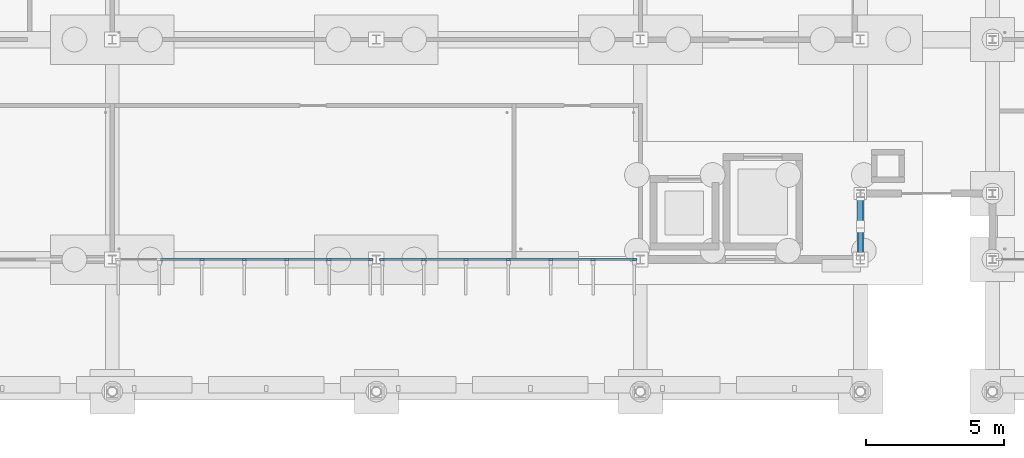
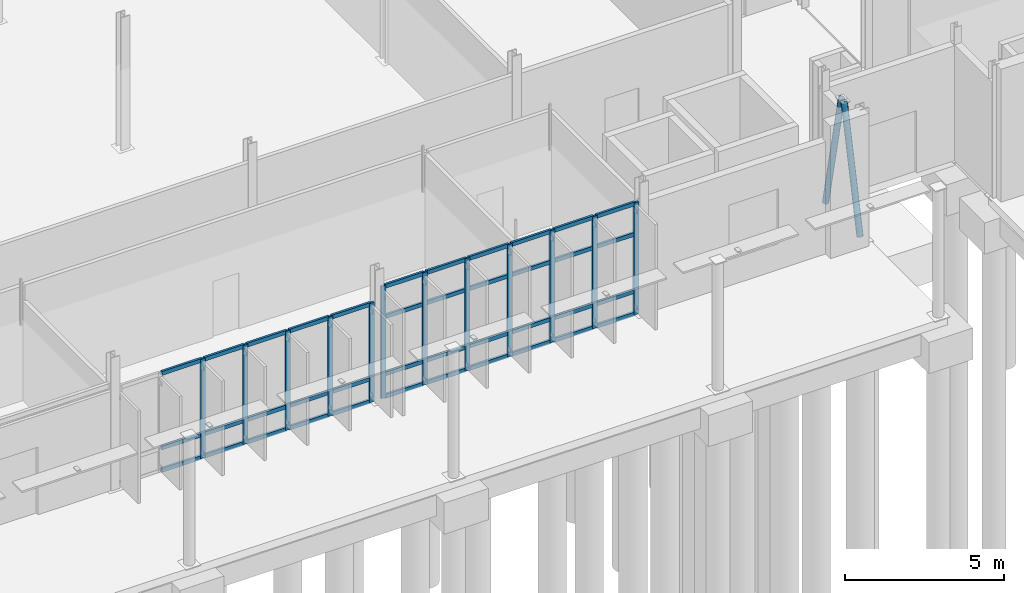
# One storey, part 28 of 111: 53 members, 2 elements without a shape of their own.
"""IFC4 building model written with IfcOpenShell, lengths in metres."""

import ifcopenshell
import ifcopenshell.guid

model = None  # the IFC model being written
_history = None  # IfcOwnerHistory: only IFC2X3 demands one
_inside = {}  # id of a spatial element -> (the spatial element, [elements in it])
_under = {}  # id of a project, library or spatial element -> (it, [spatial elements below it])
_declared = {}  # id of a project -> (the project, [libraries it declares])
_typed = {}  # id of a type object -> (the type object, [elements of that type])
_made_of = {}  # id of a material, layer set ... -> (it, [elements and type objects made of it])


def new_model(schema):
    """Start an empty IFC model of exactly this schema.

    Asked for "IFC4X3", IfcOpenShell would pick the latest addendum, in which some entities
    have other attributes; the version numbers below select the first issue.
    IFC2X3 requires an IfcOwnerHistory on every rooted entity: one is made here for all.
    """
    global model, _history
    if schema == "IFC4X3":
        model = ifcopenshell.file(schema_version=(4, 3, 0, 0))
    else:
        model = ifcopenshell.file(schema=schema)
    _inside.clear()
    _under.clear()
    _declared.clear()
    _typed.clear()
    _made_of.clear()
    _history = None
    if model.schema == "IFC2X3":
        org = make("IfcOrganization", Name="unknown")
        user = make(
            "IfcPersonAndOrganization",
            ThePerson=make("IfcPerson", FamilyName="unknown"),
            TheOrganization=org,
        )
        app = make(
            "IfcApplication",
            ApplicationDeveloper=org,
            Version="unknown",
            ApplicationFullName="unknown",
            ApplicationIdentifier="unknown",
        )
        _history = make(
            "IfcOwnerHistory",
            OwningUser=user,
            OwningApplication=app,
            ChangeAction="ADDED",
            CreationDate=0,
        )
    return model


def make(cls, **values):
    """One entity of the class cls with the attributes given. An attribute that is None is left unset."""
    return model.create_entity(
        cls, **{name: value for name, value in values.items() if value is not None}
    )


def rooted(cls, **values):
    """An entity with a GlobalId (a new one), such as an element, a storey or a relation."""
    return make(cls, GlobalId=ifcopenshell.guid.new(), OwnerHistory=_history, **values)


def si_unit(unit_type, name, prefix=None):
    """IfcSIUnit, for example si_unit("LENGTHUNIT", "METRE", prefix="MILLI")."""
    return make("IfcSIUnit", UnitType=unit_type, Prefix=prefix, Name=name)


def assignment(units):
    """IfcUnitAssignment: the units of a project."""
    return None if units is None else make("IfcUnitAssignment", Units=units)


def point(xyz):
    """IfcCartesianPoint."""
    return None if xyz is None else make("IfcCartesianPoint", Coordinates=xyz)


def direction(xyz):
    """IfcDirection."""
    return None if xyz is None else make("IfcDirection", DirectionRatios=xyz)


def frame(location, z_axis=None, x_axis=None):
    """IfcAxis2Placement3D, a coordinate frame: its origin and axes. An axis left out is left unset."""
    return make(
        "IfcAxis2Placement3D",
        Location=point(location),
        Axis=direction(z_axis),
        RefDirection=direction(x_axis),
    )


def frame_2d(location, x_axis=None):
    """IfcAxis2Placement2D, a coordinate frame in the plane: its origin and x axis."""
    return make(
        "IfcAxis2Placement2D", Location=point(location), RefDirection=direction(x_axis)
    )


def origin():
    """The frame at (0, 0, 0) with its axes left unset."""
    return frame((0.0, 0.0, 0.0))


def origin_2d():
    """The frame at (0, 0) in the plane with its x axis left unset."""
    return frame_2d((0.0, 0.0))


def place(relative_to, where):
    """IfcLocalPlacement: puts the frame where relative to a parent placement (None: the world)."""
    return make(
        "IfcLocalPlacement", PlacementRelTo=relative_to, RelativePlacement=where
    )


def context(
    kind, dimensions, precision=None, world=None, true_north=None, identifier=None
):
    """IfcGeometricRepresentationContext, for example the 3D "Model" context."""
    return make(
        "IfcGeometricRepresentationContext",
        ContextIdentifier=identifier,
        ContextType=kind,
        CoordinateSpaceDimension=dimensions,
        Precision=precision,
        WorldCoordinateSystem=world,
        TrueNorth=true_north,
    )


def subcontext(parent, identifier, kind, view, scale=None):
    """IfcGeometricRepresentationSubContext, for example "Body" below "Model"."""
    return make(
        "IfcGeometricRepresentationSubContext",
        ContextIdentifier=identifier,
        ContextType=kind,
        ParentContext=parent,
        TargetScale=scale,
        TargetView=view,
    )


def project(units=None, contexts=None):
    """IfcProject with its units and contexts."""
    return rooted(
        "IfcProject",
        Name="project",
        RepresentationContexts=contexts,
        UnitsInContext=assignment(units),
    )


def spatial(cls, under=None, at=None, **own):
    """A site, building, storey or space (cls), placed at a placement, below another one or the project."""
    s = rooted(cls, ObjectPlacement=at, **own)
    if under is not None:
        _under.setdefault(under.id(), (under, []))[1].append(s)
    return s


def profile(cls, at=None, kind="AREA", **sizes):
    """A parametric profile (cls). Its sizes go by their IFC names, for example OverallWidth=200.0."""
    return make(cls, ProfileType=kind, Position=at, **sizes)


def rectangle(**sizes):
    """IfcRectangleProfileDef."""
    return profile("IfcRectangleProfileDef", **sizes)


def hollow_circle(**sizes):
    """IfcCircleHollowProfileDef."""
    return profile("IfcCircleHollowProfileDef", **sizes)


def extrude(swept, where, along, depth):
    """IfcExtrudedAreaSolid: the profile swept, set in the frame where, extruded along a direction by depth."""
    return make(
        "IfcExtrudedAreaSolid",
        SweptArea=swept,
        Position=where,
        ExtrudedDirection=direction(along),
        Depth=depth,
    )


def shape(context_of_items, identifier, shape_type, items):
    """IfcShapeRepresentation: the items that make up one representation, for example the "Body"."""
    return make(
        "IfcShapeRepresentation",
        ContextOfItems=context_of_items,
        RepresentationIdentifier=identifier,
        RepresentationType=shape_type,
        Items=items,
    )


def material(Name=None, Category=None):
    """IfcMaterial."""
    return make("IfcMaterial", Name=Name, Category=Category)


def material_profile(
    of_material, cross_section, Name=None, Category=None, Priority=None
):
    """IfcMaterialProfile: a cross section and its material."""
    return make(
        "IfcMaterialProfile",
        Name=Name,
        Material=of_material,
        Profile=cross_section,
        Priority=Priority,
        Category=Category,
    )


def profile_set(profiles, Name=None, composite=None):
    """IfcMaterialProfileSet."""
    return make(
        "IfcMaterialProfileSet",
        Name=Name,
        MaterialProfiles=profiles,
        CompositeProfile=composite,
    )


def made_of(thing, what):
    """Note that an element or type object is made of a material, layer set ...; save() writes the relation."""
    if what is not None:
        _made_of.setdefault(what.id(), (what, []))[1].append(thing)
    return thing


def type_object(cls, material=None, **own):
    """A type object (cls), such as IfcWallType, which elements share."""
    return made_of(rooted(cls, **own), material)


def element(
    cls,
    number,
    at=None,
    inside=None,
    cuts=None,
    type_object=None,
    material=None,
    context=None,
    identifier="Body",
    shape_type=None,
    held_by="IfcProductDefinitionShape",
    body=None,
    shapes=None,
    **own,
):
    """One element of the class cls, such as IfcWall. Its Tag is "e" and its number.

    at: its placement. inside: the storey or other place that contains it. cuts: it is an
    opening in that element (IfcRelVoidsElement). A single representation is given by context,
    identifier, shape_type and body (its items); several are given by shapes. held_by: the class
    of the entity that holds the representations. save() writes the other relations.
    """
    e = rooted(cls, Tag="e%d" % number, ObjectPlacement=at, **own)
    if body is not None:
        shapes = [shape(context, identifier, shape_type, body)]
    if shapes is not None:
        e.Representation = make(held_by, Representations=shapes)
    if inside is not None:
        _inside.setdefault(inside.id(), (inside, []))[1].append(e)
    if cuts is not None:
        rooted(
            "IfcRelVoidsElement", RelatingBuildingElement=cuts, RelatedOpeningElement=e
        )
    if type_object is not None:
        _typed.setdefault(type_object.id(), (type_object, []))[1].append(e)
    return made_of(e, material)


def aggregate(whole, parts):
    """IfcRelAggregates: a whole, such as a stair, and the parts it consists of."""
    return rooted("IfcRelAggregates", RelatingObject=whole, RelatedObjects=parts)


def save(model, path):
    """Write the relations noted so far, then the file.

    IfcRelAggregates (storeys below a building ...), IfcRelContainedInSpatialStructure (elements
    in a storey), IfcRelDefinesByType, IfcRelAssociatesMaterial and IfcRelDeclares: one each for
    every whole, place, type object, material and project.
    """
    for whole, parts in _under.values():
        aggregate(whole, parts)
    for where, things in _inside.values():
        rooted(
            "IfcRelContainedInSpatialStructure",
            RelatedElements=things,
            RelatingStructure=where,
        )
    for kind, things in _typed.values():
        rooted("IfcRelDefinesByType", RelatedObjects=things, RelatingType=kind)
    for what, things in _made_of.values():
        rooted("IfcRelAssociatesMaterial", RelatedObjects=things, RelatingMaterial=what)
    for by, libraries in _declared.values():
        rooted("IfcRelDeclares", RelatingContext=by, RelatedDefinitions=libraries)
    model.write(path)


model = new_model("IFC4")

# Units and contexts
model_context = context("Model", 3, precision=1e-05, world=origin(), true_north=direction((0.0, 1.0)))
body_context = subcontext(model_context, "Body", "Model", "MODEL_VIEW")
ifc_project = project(units=[si_unit("LENGTHUNIT", "METRE"), si_unit("AREAUNIT", "SQUARE_METRE"), si_unit("VOLUMEUNIT", "CUBIC_METRE"), si_unit("PLANEANGLEUNIT", "RADIAN"), si_unit("MASSUNIT", "GRAM", prefix="KILO")], contexts=[model_context])

# Site, building, storey
site_placement = place(None, origin())
site = spatial("IfcSite", under=ifc_project, at=site_placement, CompositionType="ELEMENT")
building_placement = place(site_placement, origin())
building = spatial("IfcBuilding", under=site, at=building_placement, Name="Dunescarp Central Library", CompositionType="ELEMENT")
storey_placement = place(building_placement, origin())
storey = spatial("IfcBuildingStorey", under=building, at=storey_placement, Name="L00", CompositionType="ELEMENT", Elevation=0.0)

# Curtain wall, members
ifc_material_1 = material(Name="Marine-grade anodised aluminium 6063-T6", Category="aluminium")
curtain_wall_type = type_object("IfcCurtainWallType", Name="ARC-CW-STICK", PredefinedType="NOTDEFINED", material=ifc_material_1)
curtain_wall_1_placement = place(storey_placement, origin())
curtain_wall_1 = element("IfcCurtainWall", 1, at=curtain_wall_1_placement, inside=storey, type_object=curtain_wall_type, Name="L00 curtain wall CW-V3-082", PredefinedType="NOTDEFINED")
ifc_material_profile_1 = material_profile(ifc_material_1, rectangle(XDim=0.080078125, YDim=0.179931640625, at=origin_2d()), Name="AL 80x180")
ifc_profile_set_1 = profile_set([ifc_material_profile_1], Name="Marine-grade anodised aluminium 6063-T6")
member_type_1 = type_object("IfcMemberType", Name="ARC-CWM-180", PredefinedType="MULLION", material=ifc_profile_set_1)
member_1_placement = place(storey_placement, frame((106.985107421875, 4.800048828125, 0.0), z_axis=(0.0, 0.0, 1.0), x_axis=(0.0, -1.0, 0.0)))
member_1 = element("IfcMember", 2, at=member_1_placement, type_object=member_type_1, Name="CW-V3-082 mullion 1", PredefinedType="MULLION", context=body_context, shape_type="SweptSolid", body=[
    extrude(rectangle(XDim=0.080078125, YDim=0.179931640625, at=origin_2d()), origin(), (0.0, 0.0, 1.0), 3.804931640625),
])
member_2_placement = place(storey_placement, frame((105.4833984375, 4.800048828125, 0.0), z_axis=(0.0, 0.0, 1.0), x_axis=(0.0, -1.0, 0.0)))
member_2 = element("IfcMember", 3, at=member_2_placement, type_object=member_type_1, Name="CW-V3-082 mullion 2", PredefinedType="MULLION", context=body_context, shape_type="SweptSolid", body=[
    extrude(rectangle(XDim=0.080078125, YDim=0.179931640625, at=origin_2d()), origin(), (0.0, 0.0, 1.0), 3.804931640625),
])
member_3_placement = place(storey_placement, frame((103.941650390625, 4.800048828125, 0.0), z_axis=(0.0, 0.0, 1.0), x_axis=(0.0, -1.0, 0.0)))
member_3 = element("IfcMember", 4, at=member_3_placement, type_object=member_type_1, Name="CW-V3-082 mullion 3", PredefinedType="MULLION", context=body_context, shape_type="SweptSolid", body=[
    extrude(rectangle(XDim=0.080078125, YDim=0.179931640625, at=origin_2d()), origin(), (0.0, 0.0, 1.0), 3.804931640625),
])
member_4_placement = place(storey_placement, frame((102.39990234375, 4.800048828125, 0.0), z_axis=(0.0, 0.0, 1.0), x_axis=(0.0, -1.0, 0.0)))
member_4 = element("IfcMember", 5, at=member_4_placement, type_object=member_type_1, Name="CW-V3-082 mullion 4", PredefinedType="MULLION", context=body_context, shape_type="SweptSolid", body=[
    extrude(rectangle(XDim=0.080078125, YDim=0.179931640625, at=origin_2d()), origin(), (0.0, 0.0, 1.0), 3.804931640625),
])
member_5_placement = place(storey_placement, frame((100.8583984375, 4.800048828125, 0.0), z_axis=(0.0, 0.0, 1.0), x_axis=(0.0, -1.0, 0.0)))
member_5 = element("IfcMember", 6, at=member_5_placement, type_object=member_type_1, Name="CW-V3-082 mullion 5", PredefinedType="MULLION", context=body_context, shape_type="SweptSolid", body=[
    extrude(rectangle(XDim=0.080078125, YDim=0.179931640625, at=origin_2d()), origin(), (0.0, 0.0, 1.0), 3.804931640625),
])

curtain_wall_2_placement = place(storey_placement, origin())
curtain_wall_2 = element("IfcCurtainWall", 7, at=curtain_wall_2_placement, inside=storey, type_object=curtain_wall_type, Name="L00 curtain wall CW-V3-083", PredefinedType="NOTDEFINED")
member_6_placement = place(storey_placement, frame((116.5849609375, 4.800048828125, 0.0), z_axis=(0.0, 0.0, 1.0), x_axis=(0.0, -1.0, 0.0)))
member_6 = element("IfcMember", 8, at=member_6_placement, type_object=member_type_1, Name="CW-V3-083 mullion 1", PredefinedType="MULLION", context=body_context, shape_type="SweptSolid", body=[
    extrude(rectangle(XDim=0.080078125, YDim=0.179931640625, at=origin_2d()), origin(), (0.0, 0.0, 1.0), 4.304931640625),
])
member_7_placement = place(storey_placement, frame((115.083251953125, 4.800048828125, 0.0), z_axis=(0.0, 0.0, 1.0), x_axis=(0.0, -1.0, 0.0)))
member_7 = element("IfcMember", 9, at=member_7_placement, type_object=member_type_1, Name="CW-V3-083 mullion 2", PredefinedType="MULLION", context=body_context, shape_type="SweptSolid", body=[
    extrude(rectangle(XDim=0.080078125, YDim=0.179931640625, at=origin_2d()), origin(), (0.0, 0.0, 1.0), 4.304931640625),
])
member_8_placement = place(storey_placement, frame((113.541748046875, 4.800048828125, 0.0), z_axis=(0.0, 0.0, 1.0), x_axis=(0.0, -1.0, 0.0)))
member_8 = element("IfcMember", 10, at=member_8_placement, type_object=member_type_1, Name="CW-V3-083 mullion 3", PredefinedType="MULLION", context=body_context, shape_type="SweptSolid", body=[
    extrude(rectangle(XDim=0.080078125, YDim=0.179931640625, at=origin_2d()), origin(), (0.0, 0.0, 1.0), 4.304931640625),
])
member_9_placement = place(storey_placement, frame((112.0, 4.800048828125, 0.0), z_axis=(0.0, 0.0, 1.0), x_axis=(0.0, -1.0, 0.0)))
member_9 = element("IfcMember", 11, at=member_9_placement, type_object=member_type_1, Name="CW-V3-083 mullion 4", PredefinedType="MULLION", context=body_context, shape_type="SweptSolid", body=[
    extrude(rectangle(XDim=0.080078125, YDim=0.179931640625, at=origin_2d()), origin(), (0.0, 0.0, 1.0), 4.304931640625),
])
member_10_placement = place(storey_placement, frame((110.458251953125, 4.800048828125, 0.0), z_axis=(0.0, 0.0, 1.0), x_axis=(0.0, -1.0, 0.0)))
member_10 = element("IfcMember", 12, at=member_10_placement, type_object=member_type_1, Name="CW-V3-083 mullion 5", PredefinedType="MULLION", context=body_context, shape_type="SweptSolid", body=[
    extrude(rectangle(XDim=0.080078125, YDim=0.179931640625, at=origin_2d()), origin(), (0.0, 0.0, 1.0), 4.304931640625),
])
member_11_placement = place(storey_placement, frame((108.916748046875, 4.800048828125, 0.0), z_axis=(0.0, 0.0, 1.0), x_axis=(0.0, -1.0, 0.0)))
member_11 = element("IfcMember", 13, at=member_11_placement, type_object=member_type_1, Name="CW-V3-083 mullion 6", PredefinedType="MULLION", context=body_context, shape_type="SweptSolid", body=[
    extrude(rectangle(XDim=0.080078125, YDim=0.179931640625, at=origin_2d()), origin(), (0.0, 0.0, 1.0), 4.304931640625),
])
member_12_placement = place(storey_placement, frame((107.4150390625, 4.800048828125, 0.0), z_axis=(0.0, 0.0, 1.0), x_axis=(0.0, -1.0, 0.0)))
member_12 = element("IfcMember", 14, at=member_12_placement, type_object=member_type_1, Name="CW-V3-083 mullion 7", PredefinedType="MULLION", context=body_context, shape_type="SweptSolid", body=[
    extrude(rectangle(XDim=0.080078125, YDim=0.179931640625, at=origin_2d()), origin(), (0.0, 0.0, 1.0), 4.304931640625),
])

# Member
ifc_material_profile_2 = material_profile(ifc_material_1, rectangle(XDim=0.080078125, YDim=0.14990234375, at=origin_2d()), Name="AL 80x150")
ifc_profile_set_2 = profile_set([ifc_material_profile_2], Name="Marine-grade anodised aluminium 6063-T6")
member_type_2 = type_object("IfcMemberType", Name="ARC-CWT-150", PredefinedType="USERDEFINED", material=ifc_profile_set_2)
member_13_placement = place(storey_placement, frame((106.945068359375, 4.800048828125, 0.0400390625), z_axis=(-1.0, 0.0, 0.0), x_axis=(0.0, -1.0, 0.0)))
member_13 = element("IfcMember", 15, at=member_13_placement, type_object=member_type_2, Name="CW-V3-082 transom 1.1", ObjectType="TRANSOM", PredefinedType="USERDEFINED", context=body_context, shape_type="SweptSolid", body=[
    extrude(rectangle(XDim=0.080078125, YDim=0.14990234375, at=origin_2d()), origin(), (0.0, 0.0, 1.0), 1.421630859375),
])

member_14_placement = place(storey_placement, frame((106.945068359375, 4.800048828125, 0.89990234375), z_axis=(-1.0, 0.0, 0.0), x_axis=(0.0, -1.0, 0.0)))
member_14 = element("IfcMember", 16, at=member_14_placement, type_object=member_type_2, Name="CW-V3-082 transom 1.2", ObjectType="TRANSOM", PredefinedType="USERDEFINED", context=body_context, shape_type="SweptSolid", body=[
    extrude(rectangle(XDim=0.080078125, YDim=0.14990234375, at=origin_2d()), origin(), (0.0, 0.0, 1.0), 1.421630859375),
])

member_15_placement = place(storey_placement, frame((106.945068359375, 4.800048828125, 3.764892578125), z_axis=(-1.0, 0.0, 0.0), x_axis=(0.0, -1.0, 0.0)))
member_15 = element("IfcMember", 17, at=member_15_placement, type_object=member_type_2, Name="CW-V3-082 transom 1.3", ObjectType="TRANSOM", PredefinedType="USERDEFINED", context=body_context, shape_type="SweptSolid", body=[
    extrude(rectangle(XDim=0.080078125, YDim=0.14990234375, at=origin_2d()), origin(), (0.0, 0.0, 1.0), 1.421630859375),
])

member_16_placement = place(storey_placement, frame((105.443359375, 4.800048828125, 0.0400390625), z_axis=(-1.0, 0.0, 0.0), x_axis=(0.0, -1.0, 0.0)))
member_16 = element("IfcMember", 18, at=member_16_placement, type_object=member_type_2, Name="CW-V3-082 transom 2.1", ObjectType="TRANSOM", PredefinedType="USERDEFINED", context=body_context, shape_type="SweptSolid", body=[
    extrude(rectangle(XDim=0.080078125, YDim=0.14990234375, at=origin_2d()), origin(), (0.0, 0.0, 1.0), 1.461669921875),
])

member_17_placement = place(storey_placement, frame((105.443359375, 4.800048828125, 0.89990234375), z_axis=(-1.0, 0.0, 0.0), x_axis=(0.0, -1.0, 0.0)))
member_17 = element("IfcMember", 19, at=member_17_placement, type_object=member_type_2, Name="CW-V3-082 transom 2.2", ObjectType="TRANSOM", PredefinedType="USERDEFINED", context=body_context, shape_type="SweptSolid", body=[
    extrude(rectangle(XDim=0.080078125, YDim=0.14990234375, at=origin_2d()), origin(), (0.0, 0.0, 1.0), 1.461669921875),
])

member_18_placement = place(storey_placement, frame((105.443359375, 4.800048828125, 3.764892578125), z_axis=(-1.0, 0.0, 0.0), x_axis=(0.0, -1.0, 0.0)))
member_18 = element("IfcMember", 20, at=member_18_placement, type_object=member_type_2, Name="CW-V3-082 transom 2.3", ObjectType="TRANSOM", PredefinedType="USERDEFINED", context=body_context, shape_type="SweptSolid", body=[
    extrude(rectangle(XDim=0.080078125, YDim=0.14990234375, at=origin_2d()), origin(), (0.0, 0.0, 1.0), 1.461669921875),
])

member_19_placement = place(storey_placement, frame((103.901611328125, 4.800048828125, 0.0400390625), z_axis=(-1.0, 0.0, 0.0), x_axis=(0.0, -1.0, 0.0)))
member_19 = element("IfcMember", 21, at=member_19_placement, type_object=member_type_2, Name="CW-V3-082 transom 3.1", ObjectType="TRANSOM", PredefinedType="USERDEFINED", context=body_context, shape_type="SweptSolid", body=[
    extrude(rectangle(XDim=0.080078125, YDim=0.14990234375, at=origin_2d()), origin(), (0.0, 0.0, 1.0), 1.461669921875),
])

member_20_placement = place(storey_placement, frame((103.901611328125, 4.800048828125, 0.89990234375), z_axis=(-1.0, 0.0, 0.0), x_axis=(0.0, -1.0, 0.0)))
member_20 = element("IfcMember", 22, at=member_20_placement, type_object=member_type_2, Name="CW-V3-082 transom 3.2", ObjectType="TRANSOM", PredefinedType="USERDEFINED", context=body_context, shape_type="SweptSolid", body=[
    extrude(rectangle(XDim=0.080078125, YDim=0.14990234375, at=origin_2d()), origin(), (0.0, 0.0, 1.0), 1.461669921875),
])

member_21_placement = place(storey_placement, frame((103.901611328125, 4.800048828125, 3.764892578125), z_axis=(-1.0, 0.0, 0.0), x_axis=(0.0, -1.0, 0.0)))
member_21 = element("IfcMember", 23, at=member_21_placement, type_object=member_type_2, Name="CW-V3-082 transom 3.3", ObjectType="TRANSOM", PredefinedType="USERDEFINED", context=body_context, shape_type="SweptSolid", body=[
    extrude(rectangle(XDim=0.080078125, YDim=0.14990234375, at=origin_2d()), origin(), (0.0, 0.0, 1.0), 1.461669921875),
])

member_22_placement = place(storey_placement, frame((102.360107421875, 4.800048828125, 0.0400390625), z_axis=(-1.0, 0.0, 0.0), x_axis=(0.0, -1.0, 0.0)))
member_22 = element("IfcMember", 24, at=member_22_placement, type_object=member_type_2, Name="CW-V3-082 transom 4.1", ObjectType="TRANSOM", PredefinedType="USERDEFINED", context=body_context, shape_type="SweptSolid", body=[
    extrude(rectangle(XDim=0.080078125, YDim=0.14990234375, at=origin_2d()), origin(), (0.0, 0.0, 1.0), 1.461669921875),
])

member_23_placement = place(storey_placement, frame((102.360107421875, 4.800048828125, 0.89990234375), z_axis=(-1.0, 0.0, 0.0), x_axis=(0.0, -1.0, 0.0)))
member_23 = element("IfcMember", 25, at=member_23_placement, type_object=member_type_2, Name="CW-V3-082 transom 4.2", ObjectType="TRANSOM", PredefinedType="USERDEFINED", context=body_context, shape_type="SweptSolid", body=[
    extrude(rectangle(XDim=0.080078125, YDim=0.14990234375, at=origin_2d()), origin(), (0.0, 0.0, 1.0), 1.461669921875),
])

member_24_placement = place(storey_placement, frame((102.360107421875, 4.800048828125, 3.764892578125), z_axis=(-1.0, 0.0, 0.0), x_axis=(0.0, -1.0, 0.0)))
member_24 = element("IfcMember", 26, at=member_24_placement, type_object=member_type_2, Name="CW-V3-082 transom 4.3", ObjectType="TRANSOM", PredefinedType="USERDEFINED", context=body_context, shape_type="SweptSolid", body=[
    extrude(rectangle(XDim=0.080078125, YDim=0.14990234375, at=origin_2d()), origin(), (0.0, 0.0, 1.0), 1.461669921875),
])

member_25_placement = place(storey_placement, frame((100.818359375, 4.800048828125, 0.0400390625), z_axis=(-1.0, 0.0, 0.0), x_axis=(0.0, -1.0, 0.0)))
member_25 = element("IfcMember", 27, at=member_25_placement, type_object=member_type_2, Name="CW-V3-082 transom 5.1", ObjectType="TRANSOM", PredefinedType="USERDEFINED", context=body_context, shape_type="SweptSolid", body=[
    extrude(rectangle(XDim=0.080078125, YDim=0.14990234375, at=origin_2d()), origin(), (0.0, 0.0, 1.0), 1.461669921875),
])

member_26_placement = place(storey_placement, frame((100.818359375, 4.800048828125, 0.89990234375), z_axis=(-1.0, 0.0, 0.0), x_axis=(0.0, -1.0, 0.0)))
member_26 = element("IfcMember", 28, at=member_26_placement, type_object=member_type_2, Name="CW-V3-082 transom 5.2", ObjectType="TRANSOM", PredefinedType="USERDEFINED", context=body_context, shape_type="SweptSolid", body=[
    extrude(rectangle(XDim=0.080078125, YDim=0.14990234375, at=origin_2d()), origin(), (0.0, 0.0, 1.0), 1.461669921875),
])

member_27_placement = place(storey_placement, frame((100.818359375, 4.800048828125, 3.764892578125), z_axis=(-1.0, 0.0, 0.0), x_axis=(0.0, -1.0, 0.0)))
member_27 = element("IfcMember", 29, at=member_27_placement, type_object=member_type_2, Name="CW-V3-082 transom 5.3", ObjectType="TRANSOM", PredefinedType="USERDEFINED", context=body_context, shape_type="SweptSolid", body=[
    extrude(rectangle(XDim=0.080078125, YDim=0.14990234375, at=origin_2d()), origin(), (0.0, 0.0, 1.0), 1.461669921875),
])

aggregate(curtain_wall_1, [member_1, member_2, member_3, member_4, member_5, member_13, member_14, member_15, member_16, member_17, member_18, member_19, member_20, member_21, member_22, member_23, member_24, member_25, member_26, member_27])

member_28_placement = place(storey_placement, frame((116.544921875, 4.800048828125, 0.0400390625), z_axis=(-1.0, 0.0, 0.0), x_axis=(0.0, -1.0, 0.0)))
member_28 = element("IfcMember", 30, at=member_28_placement, type_object=member_type_2, Name="CW-V3-083 transom 1.1", ObjectType="TRANSOM", PredefinedType="USERDEFINED", context=body_context, shape_type="SweptSolid", body=[
    extrude(rectangle(XDim=0.080078125, YDim=0.14990234375, at=origin_2d()), origin(), (0.0, 0.0, 1.0), 1.421630859375),
])

member_29_placement = place(storey_placement, frame((116.544921875, 4.800048828125, 0.89990234375), z_axis=(-1.0, 0.0, 0.0), x_axis=(0.0, -1.0, 0.0)))
member_29 = element("IfcMember", 31, at=member_29_placement, type_object=member_type_2, Name="CW-V3-083 transom 1.2", ObjectType="TRANSOM", PredefinedType="USERDEFINED", context=body_context, shape_type="SweptSolid", body=[
    extrude(rectangle(XDim=0.080078125, YDim=0.14990234375, at=origin_2d()), origin(), (0.0, 0.0, 1.0), 1.421630859375),
])

member_30_placement = place(storey_placement, frame((116.544921875, 4.800048828125, 3.10009765625), z_axis=(-1.0, 0.0, 0.0), x_axis=(0.0, -1.0, 0.0)))
member_30 = element("IfcMember", 32, at=member_30_placement, type_object=member_type_2, Name="CW-V3-083 transom 1.3", ObjectType="TRANSOM", PredefinedType="USERDEFINED", context=body_context, shape_type="SweptSolid", body=[
    extrude(rectangle(XDim=0.080078125, YDim=0.14990234375, at=origin_2d()), origin(), (0.0, 0.0, 1.0), 1.421630859375),
])

member_31_placement = place(storey_placement, frame((116.544921875, 4.800048828125, 4.264892578125), z_axis=(-1.0, 0.0, 0.0), x_axis=(0.0, -1.0, 0.0)))
member_31 = element("IfcMember", 33, at=member_31_placement, type_object=member_type_2, Name="CW-V3-083 transom 1.4", ObjectType="TRANSOM", PredefinedType="USERDEFINED", context=body_context, shape_type="SweptSolid", body=[
    extrude(rectangle(XDim=0.080078125, YDim=0.14990234375, at=origin_2d()), origin(), (0.0, 0.0, 1.0), 1.421630859375),
])

member_32_placement = place(storey_placement, frame((115.043212890625, 4.800048828125, 0.0400390625), z_axis=(-1.0, 0.0, 0.0), x_axis=(0.0, -1.0, 0.0)))
member_32 = element("IfcMember", 34, at=member_32_placement, type_object=member_type_2, Name="CW-V3-083 transom 2.1", ObjectType="TRANSOM", PredefinedType="USERDEFINED", context=body_context, shape_type="SweptSolid", body=[
    extrude(rectangle(XDim=0.080078125, YDim=0.14990234375, at=origin_2d()), origin(), (0.0, 0.0, 1.0), 1.46142578125),
])

member_33_placement = place(storey_placement, frame((115.043212890625, 4.800048828125, 0.89990234375), z_axis=(-1.0, 0.0, 0.0), x_axis=(0.0, -1.0, 0.0)))
member_33 = element("IfcMember", 35, at=member_33_placement, type_object=member_type_2, Name="CW-V3-083 transom 2.2", ObjectType="TRANSOM", PredefinedType="USERDEFINED", context=body_context, shape_type="SweptSolid", body=[
    extrude(rectangle(XDim=0.080078125, YDim=0.14990234375, at=origin_2d()), origin(), (0.0, 0.0, 1.0), 1.46142578125),
])

member_34_placement = place(storey_placement, frame((115.043212890625, 4.800048828125, 3.10009765625), z_axis=(-1.0, 0.0, 0.0), x_axis=(0.0, -1.0, 0.0)))
member_34 = element("IfcMember", 36, at=member_34_placement, type_object=member_type_2, Name="CW-V3-083 transom 2.3", ObjectType="TRANSOM", PredefinedType="USERDEFINED", context=body_context, shape_type="SweptSolid", body=[
    extrude(rectangle(XDim=0.080078125, YDim=0.14990234375, at=origin_2d()), origin(), (0.0, 0.0, 1.0), 1.46142578125),
])

member_35_placement = place(storey_placement, frame((115.043212890625, 4.800048828125, 4.264892578125), z_axis=(-1.0, 0.0, 0.0), x_axis=(0.0, -1.0, 0.0)))
member_35 = element("IfcMember", 37, at=member_35_placement, type_object=member_type_2, Name="CW-V3-083 transom 2.4", ObjectType="TRANSOM", PredefinedType="USERDEFINED", context=body_context, shape_type="SweptSolid", body=[
    extrude(rectangle(XDim=0.080078125, YDim=0.14990234375, at=origin_2d()), origin(), (0.0, 0.0, 1.0), 1.46142578125),
])

member_36_placement = place(storey_placement, frame((113.501708984375, 4.800048828125, 0.0400390625), z_axis=(-1.0, 0.0, 0.0), x_axis=(0.0, -1.0, 0.0)))
member_36 = element("IfcMember", 38, at=member_36_placement, type_object=member_type_2, Name="CW-V3-083 transom 3.1", ObjectType="TRANSOM", PredefinedType="USERDEFINED", context=body_context, shape_type="SweptSolid", body=[
    extrude(rectangle(XDim=0.080078125, YDim=0.14990234375, at=origin_2d()), origin(), (0.0, 0.0, 1.0), 1.461669921875),
])

member_37_placement = place(storey_placement, frame((113.501708984375, 4.800048828125, 0.89990234375), z_axis=(-1.0, 0.0, 0.0), x_axis=(0.0, -1.0, 0.0)))
member_37 = element("IfcMember", 39, at=member_37_placement, type_object=member_type_2, Name="CW-V3-083 transom 3.2", ObjectType="TRANSOM", PredefinedType="USERDEFINED", context=body_context, shape_type="SweptSolid", body=[
    extrude(rectangle(XDim=0.080078125, YDim=0.14990234375, at=origin_2d()), origin(), (0.0, 0.0, 1.0), 1.461669921875),
])

member_38_placement = place(storey_placement, frame((113.501708984375, 4.800048828125, 3.10009765625), z_axis=(-1.0, 0.0, 0.0), x_axis=(0.0, -1.0, 0.0)))
member_38 = element("IfcMember", 40, at=member_38_placement, type_object=member_type_2, Name="CW-V3-083 transom 3.3", ObjectType="TRANSOM", PredefinedType="USERDEFINED", context=body_context, shape_type="SweptSolid", body=[
    extrude(rectangle(XDim=0.080078125, YDim=0.14990234375, at=origin_2d()), origin(), (0.0, 0.0, 1.0), 1.461669921875),
])

member_39_placement = place(storey_placement, frame((113.501708984375, 4.800048828125, 4.264892578125), z_axis=(-1.0, 0.0, 0.0), x_axis=(0.0, -1.0, 0.0)))
member_39 = element("IfcMember", 41, at=member_39_placement, type_object=member_type_2, Name="CW-V3-083 transom 3.4", ObjectType="TRANSOM", PredefinedType="USERDEFINED", context=body_context, shape_type="SweptSolid", body=[
    extrude(rectangle(XDim=0.080078125, YDim=0.14990234375, at=origin_2d()), origin(), (0.0, 0.0, 1.0), 1.461669921875),
])

member_40_placement = place(storey_placement, frame((111.9599609375, 4.800048828125, 0.0400390625), z_axis=(-1.0, 0.0, 0.0), x_axis=(0.0, -1.0, 0.0)))
member_40 = element("IfcMember", 42, at=member_40_placement, type_object=member_type_2, Name="CW-V3-083 transom 4.1", ObjectType="TRANSOM", PredefinedType="USERDEFINED", context=body_context, shape_type="SweptSolid", body=[
    extrude(rectangle(XDim=0.080078125, YDim=0.14990234375, at=origin_2d()), origin(), (0.0, 0.0, 1.0), 1.461669921875),
])

member_41_placement = place(storey_placement, frame((111.9599609375, 4.800048828125, 0.89990234375), z_axis=(-1.0, 0.0, 0.0), x_axis=(0.0, -1.0, 0.0)))
member_41 = element("IfcMember", 43, at=member_41_placement, type_object=member_type_2, Name="CW-V3-083 transom 4.2", ObjectType="TRANSOM", PredefinedType="USERDEFINED", context=body_context, shape_type="SweptSolid", body=[
    extrude(rectangle(XDim=0.080078125, YDim=0.14990234375, at=origin_2d()), origin(), (0.0, 0.0, 1.0), 1.461669921875),
])

member_42_placement = place(storey_placement, frame((111.9599609375, 4.800048828125, 3.10009765625), z_axis=(-1.0, 0.0, 0.0), x_axis=(0.0, -1.0, 0.0)))
member_42 = element("IfcMember", 44, at=member_42_placement, type_object=member_type_2, Name="CW-V3-083 transom 4.3", ObjectType="TRANSOM", PredefinedType="USERDEFINED", context=body_context, shape_type="SweptSolid", body=[
    extrude(rectangle(XDim=0.080078125, YDim=0.14990234375, at=origin_2d()), origin(), (0.0, 0.0, 1.0), 1.461669921875),
])

member_43_placement = place(storey_placement, frame((111.9599609375, 4.800048828125, 4.264892578125), z_axis=(-1.0, 0.0, 0.0), x_axis=(0.0, -1.0, 0.0)))
member_43 = element("IfcMember", 45, at=member_43_placement, type_object=member_type_2, Name="CW-V3-083 transom 4.4", ObjectType="TRANSOM", PredefinedType="USERDEFINED", context=body_context, shape_type="SweptSolid", body=[
    extrude(rectangle(XDim=0.080078125, YDim=0.14990234375, at=origin_2d()), origin(), (0.0, 0.0, 1.0), 1.461669921875),
])

member_44_placement = place(storey_placement, frame((110.418212890625, 4.800048828125, 0.0400390625), z_axis=(-1.0, 0.0, 0.0), x_axis=(0.0, -1.0, 0.0)))
member_44 = element("IfcMember", 46, at=member_44_placement, type_object=member_type_2, Name="CW-V3-083 transom 5.1", ObjectType="TRANSOM", PredefinedType="USERDEFINED", context=body_context, shape_type="SweptSolid", body=[
    extrude(rectangle(XDim=0.080078125, YDim=0.14990234375, at=origin_2d()), origin(), (0.0, 0.0, 1.0), 1.46142578125),
])

member_45_placement = place(storey_placement, frame((110.418212890625, 4.800048828125, 0.89990234375), z_axis=(-1.0, 0.0, 0.0), x_axis=(0.0, -1.0, 0.0)))
member_45 = element("IfcMember", 47, at=member_45_placement, type_object=member_type_2, Name="CW-V3-083 transom 5.2", ObjectType="TRANSOM", PredefinedType="USERDEFINED", context=body_context, shape_type="SweptSolid", body=[
    extrude(rectangle(XDim=0.080078125, YDim=0.14990234375, at=origin_2d()), origin(), (0.0, 0.0, 1.0), 1.46142578125),
])

member_46_placement = place(storey_placement, frame((110.418212890625, 4.800048828125, 3.10009765625), z_axis=(-1.0, 0.0, 0.0), x_axis=(0.0, -1.0, 0.0)))
member_46 = element("IfcMember", 48, at=member_46_placement, type_object=member_type_2, Name="CW-V3-083 transom 5.3", ObjectType="TRANSOM", PredefinedType="USERDEFINED", context=body_context, shape_type="SweptSolid", body=[
    extrude(rectangle(XDim=0.080078125, YDim=0.14990234375, at=origin_2d()), origin(), (0.0, 0.0, 1.0), 1.46142578125),
])

member_47_placement = place(storey_placement, frame((110.418212890625, 4.800048828125, 4.264892578125), z_axis=(-1.0, 0.0, 0.0), x_axis=(0.0, -1.0, 0.0)))
member_47 = element("IfcMember", 49, at=member_47_placement, type_object=member_type_2, Name="CW-V3-083 transom 5.4", ObjectType="TRANSOM", PredefinedType="USERDEFINED", context=body_context, shape_type="SweptSolid", body=[
    extrude(rectangle(XDim=0.080078125, YDim=0.14990234375, at=origin_2d()), origin(), (0.0, 0.0, 1.0), 1.46142578125),
])

member_48_placement = place(storey_placement, frame((108.876708984375, 4.800048828125, 0.0400390625), z_axis=(-1.0, 0.0, 0.0), x_axis=(0.0, -1.0, 0.0)))
member_48 = element("IfcMember", 50, at=member_48_placement, type_object=member_type_2, Name="CW-V3-083 transom 6.1", ObjectType="TRANSOM", PredefinedType="USERDEFINED", context=body_context, shape_type="SweptSolid", body=[
    extrude(rectangle(XDim=0.080078125, YDim=0.14990234375, at=origin_2d()), origin(), (0.0, 0.0, 1.0), 1.421630859375),
])

member_49_placement = place(storey_placement, frame((108.876708984375, 4.800048828125, 0.89990234375), z_axis=(-1.0, 0.0, 0.0), x_axis=(0.0, -1.0, 0.0)))
member_49 = element("IfcMember", 51, at=member_49_placement, type_object=member_type_2, Name="CW-V3-083 transom 6.2", ObjectType="TRANSOM", PredefinedType="USERDEFINED", context=body_context, shape_type="SweptSolid", body=[
    extrude(rectangle(XDim=0.080078125, YDim=0.14990234375, at=origin_2d()), origin(), (0.0, 0.0, 1.0), 1.421630859375),
])

member_50_placement = place(storey_placement, frame((108.876708984375, 4.800048828125, 3.10009765625), z_axis=(-1.0, 0.0, 0.0), x_axis=(0.0, -1.0, 0.0)))
member_50 = element("IfcMember", 52, at=member_50_placement, type_object=member_type_2, Name="CW-V3-083 transom 6.3", ObjectType="TRANSOM", PredefinedType="USERDEFINED", context=body_context, shape_type="SweptSolid", body=[
    extrude(rectangle(XDim=0.080078125, YDim=0.14990234375, at=origin_2d()), origin(), (0.0, 0.0, 1.0), 1.421630859375),
])

member_51_placement = place(storey_placement, frame((108.876708984375, 4.800048828125, 4.264892578125), z_axis=(-1.0, 0.0, 0.0), x_axis=(0.0, -1.0, 0.0)))
member_51 = element("IfcMember", 53, at=member_51_placement, type_object=member_type_2, Name="CW-V3-083 transom 6.4", ObjectType="TRANSOM", PredefinedType="USERDEFINED", context=body_context, shape_type="SweptSolid", body=[
    extrude(rectangle(XDim=0.080078125, YDim=0.14990234375, at=origin_2d()), origin(), (0.0, 0.0, 1.0), 1.421630859375),
])

aggregate(curtain_wall_2, [member_6, member_7, member_8, member_9, member_10, member_11, member_12, member_28, member_29, member_30, member_31, member_32, member_33, member_34, member_35, member_36, member_37, member_38, member_39, member_40, member_41, member_42, member_43, member_44, member_45, member_46, member_47, member_48, member_49, member_50, member_51])

# Members
ifc_material_2 = material(Name="Steel S355J0", Category="steel")
ifc_material_profile_3 = material_profile(ifc_material_2, hollow_circle(Radius=0.109619140625, WallThickness=0.010009765625, at=origin_2d()), Name="CHS 219.1x10")
ifc_profile_set_3 = profile_set([ifc_material_profile_3], Name="Steel S355J0")
member_type_3 = type_object("IfcMemberType", Name="STR-BR-219", PredefinedType="BRACE", material=ifc_profile_set_3)
for number, where, z_axis, x_axis, name in (
    (54, (124.800048828125, 4.919921875, 0.044921875), (0.0, 0.212651644533, 0.977128076599), (-1.0, 0.0, 0.0), "L00 concentric brace BR-L00-041"),
    (55, (124.800048828125, 7.080078125, 0.044921875), (0.0, -0.212651644533, 0.977128076599), (1.0, 0.0, 0.0), "L00 concentric brace BR-L00-042"),
):
    element("IfcMember", number, at=place(storey_placement, frame(where, z_axis=z_axis, x_axis=x_axis)), inside=storey, type_object=member_type_3, Name=name, PredefinedType="BRACE", context=body_context, shape_type="SweptSolid", body=[
        extrude(hollow_circle(Radius=0.109619140625, WallThickness=0.010009765625, at=origin_2d()), origin(), (0.0, 0.0, 1.0), 4.70263671875),
    ])

save(model, "model.ifc")
